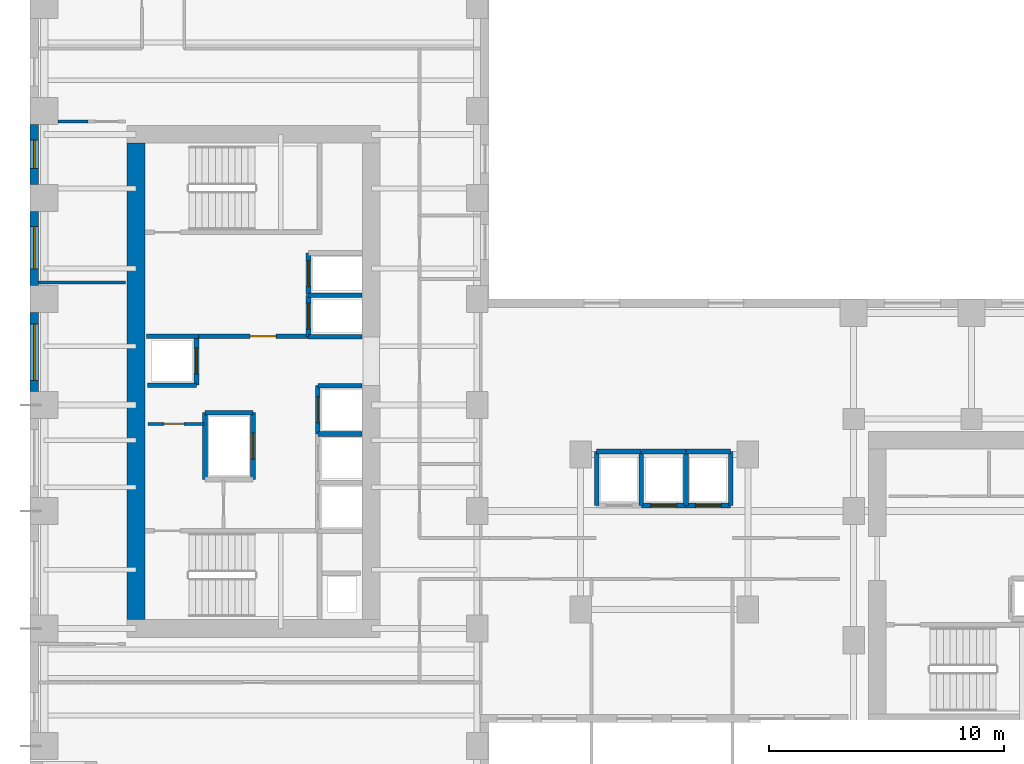
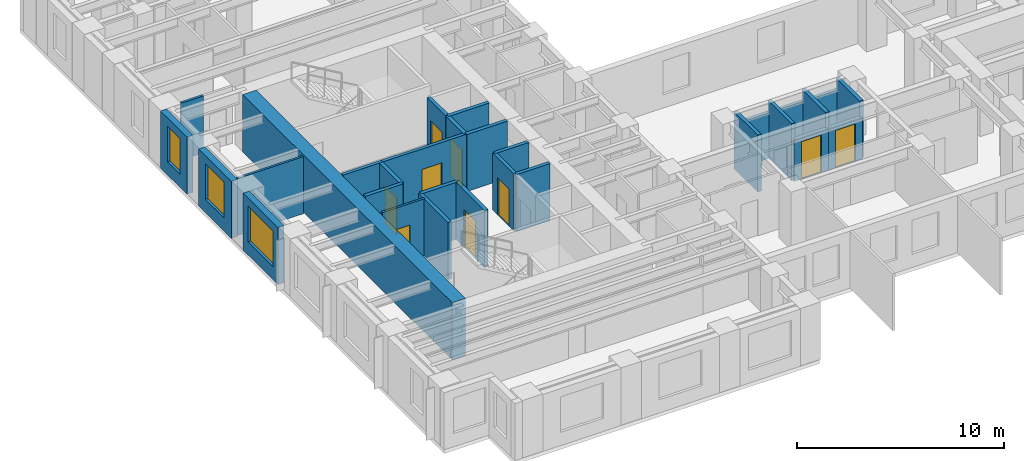
# One storey, part 5 of 11: 30 walls, 9 doors, 3 windows, 12 openings.
"""IFC4 building model written with IfcOpenShell, lengths in metres."""

from ifc_helpers import new_model, si_unit, direction, frame, frame_2d, origin, place, context, subcontext, project, spatial, rectangle, extrude, source, transform, mapped, material, layer, layer_set, type_object, element, fill, save


model = new_model("IFC4")

# Units and contexts
model_context = context("Model", 3, precision=1e-05, world=origin(), true_north=direction((0.0, 1.0)))
body_context = subcontext(model_context, "Body", "Model", "MODEL_VIEW")
ifc_project = project(units=[si_unit("LENGTHUNIT", "METRE"), si_unit("AREAUNIT", "SQUARE_METRE"), si_unit("VOLUMEUNIT", "CUBIC_METRE"), si_unit("PLANEANGLEUNIT", "RADIAN"), si_unit("MASSUNIT", "GRAM", prefix="KILO")], contexts=[model_context])

# Site, building, storey
site_placement = place(None, origin())
site = spatial("IfcSite", under=ifc_project, at=site_placement, CompositionType="ELEMENT")
building_placement = place(site_placement, origin())
building = spatial("IfcBuilding", under=site, at=building_placement, Name="Kharzan Plaza Tower", CompositionType="ELEMENT")
storey_placement = place(building_placement, frame((0.0, 0.0, 84.60009765625)))
storey = spatial("IfcBuildingStorey", under=building, at=storey_placement, Name="L22", CompositionType="ELEMENT", Elevation=84.60009765625)

# Wall, opening, window
ifc_material_1 = material(Name="Concrete C40/50", Category="concrete")
ifc_layer_1 = layer(ifc_material_1, 0.35009765625)
ifc_layer_set_1 = layer_set([ifc_layer_1], Name="Concrete C40/50")
wall_type_1 = type_object("IfcWallType", Name="WL-EXT-MAS-Z2", PredefinedType="SOLIDWALL", material=ifc_layer_set_1)
wall_1_placement = place(storey_placement, frame((0.175048828125, 29.927001953125, 0.0), z_axis=(0.0, 0.0, 1.0), x_axis=(0.0, -1.0, 0.0)))
wall_1 = element("IfcWall", 1, at=wall_1_placement, inside=storey, type_object=wall_type_1, Name="L22 Masonry-Frame Exterior Wall 13", PredefinedType="SOLIDWALL", context=body_context, shape_type="SweptSolid", body=[
    extrude(rectangle(XDim=2.553955078125, YDim=0.35009765625, at=frame_2d((1.27685546875, 0.0))), origin(), (0.0, 0.0, 1.0), 3.364990234375),
])
opening_1_placement = place(wall_1_placement, frame((0.677001953125, 0.0, 0.780029296875)))
opening_1 = element("IfcOpeningElement", 2, at=opening_1_placement, cuts=wall_1, Name="Opening W3", PredefinedType="OPENING", context=body_context, shape_type="SweptSolid", body=[
    extrude(rectangle(XDim=1.199951171875, YDim=2.10009765625, at=frame_2d((0.60009765625, 1.050048828125))), frame((0.0, 0.18505859375, 0.0), z_axis=(0.0, -1.0, 0.0), x_axis=(1.0, 0.0, 0.0)), (0.0, 0.0, 1.0), 0.3701171875),
])
ifc_material_2 = material(Name="Low-E Double Glazing", Category="glass")
window_type_1 = type_object("IfcWindowType", Name="WN-REC-1200x2100", PartitioningType="SINGLE_PANEL", PredefinedType="WINDOW", material=ifc_material_2)
shared_shape_1 = source(origin(), body_context, "Body", "SweptSolid", [
    extrude(rectangle(XDim=1.199951171875, YDim=2.10009765625, at=frame_2d((0.60009765625, 1.050048828125))), frame((0.0, 0.030029296875, 0.0), z_axis=(0.0, -1.0, 0.0), x_axis=(1.0, 0.0, 0.0)), (0.0, 0.0, 1.0), 0.06005859375),
])
window_1_placement = place(opening_1_placement, origin())
window_1 = element("IfcWindow", 3, at=window_1_placement, inside=storey, type_object=window_type_1, Name="L22 Recessed Solar-Control Window 13-1", OverallHeight=2.10009765625, OverallWidth=1.199951171875, PartitioningType="SINGLE_PANEL", PredefinedType="WINDOW", context=body_context, shape_type="MappedRepresentation", body=[
    mapped(shared_shape_1, transform((0.0, 0.0, 0.0), x_axis=(1.0, 0.0, 0.0), y_axis=(0.0, 1.0, 0.0), z_axis=(0.0, 0.0, 1.0))),
])
fill(opening_1, window_1)

wall_2_placement = place(storey_placement, frame((0.175048828125, 26.22705078125, 0.0), z_axis=(0.0, 0.0, 1.0), x_axis=(0.0, -1.0, 0.0)))
wall_2 = element("IfcWall", 4, at=wall_2_placement, inside=storey, type_object=wall_type_1, Name="L22 Masonry-Frame Exterior Wall 14", PredefinedType="SOLIDWALL", context=body_context, shape_type="SweptSolid", body=[
    extrude(rectangle(XDim=3.154052734375, YDim=0.35009765625, at=frame_2d((1.5771484375, 0.0))), origin(), (0.0, 0.0, 1.0), 3.364990234375),
])
opening_2_placement = place(wall_2_placement, frame((0.6484375, 0.0, 0.780029296875)))
opening_2 = element("IfcOpeningElement", 5, at=opening_2_placement, cuts=wall_2, Name="Opening W1", PredefinedType="OPENING", context=body_context, shape_type="SweptSolid", body=[
    extrude(rectangle(XDim=1.800048828125, YDim=2.10009765625, at=frame_2d((0.89990234375, 1.050048828125))), frame((0.0, 0.18505859375, 0.0), z_axis=(0.0, -1.0, 0.0), x_axis=(1.0, 0.0, 0.0)), (0.0, 0.0, 1.0), 0.3701171875),
])
window_type_2 = type_object("IfcWindowType", Name="WN-REC-1800x2100", PartitioningType="SINGLE_PANEL", PredefinedType="WINDOW", material=ifc_material_2)
shared_shape_2 = source(origin(), body_context, "Body", "SweptSolid", [
    extrude(rectangle(XDim=1.800048828125, YDim=2.10009765625, at=frame_2d((0.89990234375, 1.050048828125))), frame((0.0, 0.030029296875, 0.0), z_axis=(0.0, -1.0, 0.0), x_axis=(1.0, 0.0, 0.0)), (0.0, 0.0, 1.0), 0.06005859375),
])
window_2_placement = place(opening_2_placement, origin())
window_2 = element("IfcWindow", 6, at=window_2_placement, inside=storey, type_object=window_type_2, Name="L22 Recessed Solar-Control Window 14-1", OverallHeight=2.10009765625, OverallWidth=1.800048828125, PartitioningType="SINGLE_PANEL", PredefinedType="WINDOW", context=body_context, shape_type="MappedRepresentation", body=[
    mapped(shared_shape_2, transform((0.0, 0.0, 0.0), x_axis=(1.0, 0.0, 0.0), y_axis=(0.0, 1.0, 0.0), z_axis=(0.0, 0.0, 1.0))),
])
fill(opening_2, window_2)

wall_3_placement = place(storey_placement, frame((0.175048828125, 21.927001953125, 0.0), z_axis=(0.0, 0.0, 1.0), x_axis=(0.0, -1.0, 0.0)))
wall_3 = element("IfcWall", 7, at=wall_3_placement, inside=storey, type_object=wall_type_1, Name="L22 Masonry-Frame Exterior Wall 15", PredefinedType="SOLIDWALL", context=body_context, shape_type="SweptSolid", body=[
    extrude(rectangle(XDim=3.35400390625, YDim=0.35009765625, at=frame_2d((1.677001953125, 0.0))), origin(), (0.0, 0.0, 1.0), 3.364990234375),
])
opening_3_placement = place(wall_3_placement, frame((0.47705078125, 0.0, 0.780029296875)))
opening_3 = element("IfcOpeningElement", 8, at=opening_3_placement, cuts=wall_3, Name="Opening W2", PredefinedType="OPENING", context=body_context, shape_type="SweptSolid", body=[
    extrude(rectangle(XDim=2.39990234375, YDim=2.10009765625, at=frame_2d((1.199951171875, 1.050048828125))), frame((0.0, 0.18505859375, 0.0), z_axis=(0.0, -1.0, 0.0), x_axis=(1.0, 0.0, 0.0)), (0.0, 0.0, 1.0), 0.3701171875),
])
window_type_3 = type_object("IfcWindowType", Name="WN-REC-2400x2100", PartitioningType="SINGLE_PANEL", PredefinedType="WINDOW", material=ifc_material_2)
shared_shape_3 = source(origin(), body_context, "Body", "SweptSolid", [
    extrude(rectangle(XDim=2.39990234375, YDim=2.10009765625, at=frame_2d((1.199951171875, 1.050048828125))), frame((0.0, 0.030029296875, 0.0), z_axis=(0.0, -1.0, 0.0), x_axis=(1.0, 0.0, 0.0)), (0.0, 0.0, 1.0), 0.06005859375),
])
window_3_placement = place(opening_3_placement, origin())
window_3 = element("IfcWindow", 9, at=window_3_placement, inside=storey, type_object=window_type_3, Name="L22 Wide Recessed Solar-Control Window 15-1", OverallHeight=2.10009765625, OverallWidth=2.39990234375, PartitioningType="SINGLE_PANEL", PredefinedType="WINDOW", context=body_context, shape_type="MappedRepresentation", body=[
    mapped(shared_shape_3, transform((0.0, 0.0, 0.0), x_axis=(1.0, 0.0, 0.0), y_axis=(0.0, 1.0, 0.0), z_axis=(0.0, 0.0, 1.0))),
])
fill(opening_3, window_3)

# Wall, opening, door
ifc_layer_2 = layer(ifc_material_1, 0.179931640625)
ifc_layer_set_2 = layer_set([ifc_layer_2], Name="Concrete C40/50")
wall_type_2 = type_object("IfcWallType", Name="WL-INT-FIRE-180", PredefinedType="PARTITIONING", material=ifc_layer_set_2)
wall_4_placement = place(storey_placement, frame((7.14990234375, 20.919921875, 0.0), z_axis=(0.0, 0.0, 1.0), x_axis=(1.0, 0.0, 0.0)))
wall_4 = element("IfcWall", 10, at=wall_4_placement, inside=storey, type_object=wall_type_2, Name="L22 Interior Partition CA-FF-S", PredefinedType="PARTITIONING", context=body_context, shape_type="SweptSolid", body=[
    extrude(rectangle(XDim=4.68017578125, YDim=0.179931640625, at=frame_2d((2.340087890625, 0.0))), origin(), (0.0, 0.0, 1.0), 3.364990234375),
])
opening_4_placement = place(wall_4_placement, frame((2.199951171875, 0.0, 0.0)))
opening_4 = element("IfcOpeningElement", 11, at=opening_4_placement, cuts=wall_4, Name="Opening FD1", PredefinedType="OPENING", context=body_context, shape_type="SweptSolid", body=[
    extrude(rectangle(XDim=1.10009765625, YDim=2.14990234375, at=frame_2d((0.550048828125, 1.074951171875))), frame((0.0, 0.099853515625, 0.0), z_axis=(0.0, -1.0, 0.0), x_axis=(1.0, 0.0, 0.0)), (0.0, 0.0, 1.0), 0.199951171875),
])
ifc_material_3 = material(Name="Fire-Rated Acoustic Vision-Panel Steel", Category="steel")
door_type_1 = type_object("IfcDoorType", Name="DR-FIRE-LOBBY", OperationType="NOTDEFINED", PredefinedType="DOOR", material=ifc_material_3)
shared_shape_4 = source(origin(), body_context, "Body", "SweptSolid", [
    extrude(rectangle(XDim=1.10009765625, YDim=2.14990234375, at=frame_2d((0.550048828125, 1.074951171875))), frame((0.0, 0.02490234375, 0.0), z_axis=(0.0, -1.0, 0.0), x_axis=(1.0, 0.0, 0.0)), (0.0, 0.0, 1.0), 0.050048828125),
])
door_1_placement = place(opening_4_placement, origin())
door_1 = element("IfcDoor", 12, at=door_1_placement, inside=storey, type_object=door_type_1, Name="L22 Firefighting Lobby Door", OperationType="SINGLE_SWING_RIGHT", OverallHeight=2.14990234375, OverallWidth=1.10009765625, PredefinedType="DOOR", context=body_context, shape_type="MappedRepresentation", body=[
    mapped(shared_shape_4, transform((0.0, 0.0, 0.0), x_axis=(1.0, 0.0, 0.0), y_axis=(0.0, 1.0, 0.0), z_axis=(0.0, 0.0, 1.0))),
])
fill(opening_4, door_1)

ifc_material_4 = material(Name="Fire-Rated Gypsum Board Partition", Category="gypsum")
ifc_layer_3 = layer(ifc_material_4, 0.125)
ifc_layer_set_3 = layer_set([ifc_layer_3], Name="Fire-Rated Gypsum Board Partition")
wall_type_3 = type_object("IfcWallType", Name="WL-INT-PART-125", PredefinedType="PARTITIONING", material=ifc_layer_set_3)
wall_5_placement = place(storey_placement, frame((5.0, 17.199951171875, 0.0), z_axis=(0.0, 0.0, 1.0), x_axis=(1.0, 0.0, 0.0)))
wall_5 = element("IfcWall", 13, at=wall_5_placement, inside=storey, type_object=wall_type_3, Name="L22 Interior Partition CA-K1N2", PredefinedType="PARTITIONING", context=body_context, shape_type="SweptSolid", body=[
    extrude(rectangle(XDim=2.39990234375, YDim=0.125, at=frame_2d((1.199951171875, 0.0))), origin(), (0.0, 0.0, 1.0), 3.364990234375),
])
opening_5_placement = place(wall_5_placement, frame((0.699951171875, 0.0, 0.0)))
opening_5 = element("IfcOpeningElement", 14, at=opening_5_placement, cuts=wall_5, Name="Opening RD1", PredefinedType="OPENING", context=body_context, shape_type="SweptSolid", body=[
    extrude(rectangle(XDim=0.85009765625, YDim=2.10009765625, at=frame_2d((0.425048828125, 1.050048828125))), frame((0.0, 0.072509765625, 0.0), z_axis=(0.0, -1.0, 0.0), x_axis=(1.0, 0.0, 0.0)), (0.0, 0.0, 1.0), 0.14501953125),
])
ifc_material_5 = material(Name="Powder-Coated Fire-Rated Steel", Category="steel")
door_type_2 = type_object("IfcDoorType", Name="DR-RISER-900", OperationType="NOTDEFINED", PredefinedType="DOOR", material=ifc_material_5)
shared_shape_5 = source(origin(), body_context, "Body", "SweptSolid", [
    extrude(rectangle(XDim=0.85009765625, YDim=2.10009765625, at=frame_2d((0.425048828125, 1.050048828125))), frame((0.0, 0.02490234375, 0.0), z_axis=(0.0, -1.0, 0.0), x_axis=(1.0, 0.0, 0.0)), (0.0, 0.0, 1.0), 0.050048828125),
])
door_2_placement = place(opening_5_placement, origin())
door_2 = element("IfcDoor", 15, at=door_2_placement, inside=storey, type_object=door_type_2, Name="L22 Core Storage Room Door", OperationType="SINGLE_SWING_LEFT", OverallHeight=2.10009765625, OverallWidth=0.85009765625, PredefinedType="DOOR", context=body_context, shape_type="MappedRepresentation", body=[
    mapped(shared_shape_5, transform((0.0, 0.0, 0.0), x_axis=(1.0, 0.0, 0.0), y_axis=(0.0, 1.0, 0.0), z_axis=(0.0, 0.0, 1.0))),
])
fill(opening_5, door_2)

ifc_layer_4 = layer(ifc_material_1, 0.199951171875)
ifc_layer_set_4 = layer_set([ifc_layer_4], Name="Concrete C40/50")
wall_type_4 = type_object("IfcWallType", Name="WL-INT-SHAFT-200", PredefinedType="PARTITIONING", material=ifc_layer_set_4)
wall_6_placement = place(storey_placement, frame((11.830078125, 20.89990234375, 0.0), z_axis=(0.0, 0.0, 1.0), x_axis=(0.0, 1.0, 0.0)))
wall_6 = element("IfcWall", 16, at=wall_6_placement, inside=storey, type_object=wall_type_4, Name="L22 Interior Partition SHF-FFL-1-W", PredefinedType="PARTITIONING", context=body_context, shape_type="SweptSolid", body=[
    extrude(rectangle(XDim=1.760009765625, YDim=0.199951171875, at=frame_2d((0.8798828125, 0.0))), origin(), (0.0, 0.0, 1.0), 3.364990234375),
])
opening_6_placement = place(wall_6_placement, frame((0.330078125, 0.0, 0.0)))
opening_6 = element("IfcOpeningElement", 17, at=opening_6_placement, cuts=wall_6, Name="Opening LD", PredefinedType="OPENING", context=body_context, shape_type="SweptSolid", body=[
    extrude(rectangle(XDim=1.10009765625, YDim=2.199951171875, at=frame_2d((0.550048828125, 1.10009765625))), frame((0.0, 0.10986328125, 0.0), z_axis=(0.0, -1.0, 0.0), x_axis=(1.0, 0.0, 0.0)), (0.0, 0.0, 1.0), 0.219970703125),
])
ifc_material_6 = material(Name="Brushed Stainless Steel", Category="steel")
door_type_3 = type_object("IfcDoorType", Name="DR-LIFT-SLIDE", OperationType="SLIDING_TO_LEFT", PredefinedType="DOOR", material=ifc_material_6)
shared_shape_6 = source(origin(), body_context, "Body", "SweptSolid", [
    extrude(rectangle(XDim=1.10009765625, YDim=2.199951171875, at=frame_2d((0.550048828125, 1.10009765625))), frame((0.0, 0.02490234375, 0.0), z_axis=(0.0, -1.0, 0.0), x_axis=(1.0, 0.0, 0.0)), (0.0, 0.0, 1.0), 0.050048828125),
])
door_3_placement = place(opening_6_placement, origin())
door_3 = element("IfcDoor", 18, at=door_3_placement, inside=storey, type_object=door_type_3, Name="L22 Firefighting Lift FFL-1 Sliding Landing Door", OperationType="SLIDING_TO_LEFT", OverallHeight=2.199951171875, OverallWidth=1.10009765625, PredefinedType="DOOR", context=body_context, shape_type="MappedRepresentation", body=[
    mapped(shared_shape_6, transform((0.0, 0.0, 0.0), x_axis=(1.0, 0.0, 0.0), y_axis=(0.0, 1.0, 0.0), z_axis=(0.0, 0.0, 1.0))),
])
fill(opening_6, door_3)

wall_7_placement = place(storey_placement, frame((11.830078125, 22.699951171875, 0.0), z_axis=(0.0, 0.0, 1.0), x_axis=(0.0, 1.0, 0.0)))
wall_7 = element("IfcWall", 19, at=wall_7_placement, inside=storey, type_object=wall_type_4, Name="L22 Interior Partition SHF-FFL-2-W", PredefinedType="PARTITIONING", context=body_context, shape_type="SweptSolid", body=[
    extrude(rectangle(XDim=1.760009765625, YDim=0.199951171875, at=frame_2d((0.8798828125, 0.0))), origin(), (0.0, 0.0, 1.0), 3.364990234375),
])
opening_7_placement = place(wall_7_placement, frame((0.330078125, 0.0, 0.0)))
opening_7 = element("IfcOpeningElement", 20, at=opening_7_placement, cuts=wall_7, Name="Opening LD", PredefinedType="OPENING", context=body_context, shape_type="SweptSolid", body=[
    extrude(rectangle(XDim=1.10009765625, YDim=2.199951171875, at=frame_2d((0.550048828125, 1.10009765625))), frame((0.0, 0.10986328125, 0.0), z_axis=(0.0, -1.0, 0.0), x_axis=(1.0, 0.0, 0.0)), (0.0, 0.0, 1.0), 0.219970703125),
])
door_4_placement = place(opening_7_placement, origin())
door_4 = element("IfcDoor", 21, at=door_4_placement, inside=storey, type_object=door_type_3, Name="L22 Firefighting Lift FFL-2 Sliding Landing Door", OperationType="SLIDING_TO_LEFT", OverallHeight=2.199951171875, OverallWidth=1.10009765625, PredefinedType="DOOR", context=body_context, shape_type="MappedRepresentation", body=[
    mapped(shared_shape_6, transform((0.0, 0.0, 0.0), x_axis=(1.0, 0.0, 0.0), y_axis=(0.0, 1.0, 0.0), z_axis=(0.0, 0.0, 1.0))),
])
fill(opening_7, door_4)

wall_8_placement = place(storey_placement, frame((12.22998046875, 16.77001953125, 0.0), z_axis=(0.0, 0.0, 1.0), x_axis=(0.0, 1.0, 0.0)))
wall_8 = element("IfcWall", 22, at=wall_8_placement, inside=storey, type_object=wall_type_4, Name="L22 Interior Partition SHF-PL-H3-W", PredefinedType="PARTITIONING", context=body_context, shape_type="SweptSolid", body=[
    extrude(rectangle(XDim=2.050048828125, YDim=0.199951171875, at=frame_2d((1.02490234375, 0.0))), origin(), (0.0, 0.0, 1.0), 3.364990234375),
])
opening_8_placement = place(wall_8_placement, frame((0.47509765625, 0.0, 0.0)))
opening_8 = element("IfcOpeningElement", 23, at=opening_8_placement, cuts=wall_8, Name="Opening LD", PredefinedType="OPENING", context=body_context, shape_type="SweptSolid", body=[
    extrude(rectangle(XDim=1.10009765625, YDim=2.199951171875, at=frame_2d((0.550048828125, 1.10009765625))), frame((0.0, 0.10986328125, 0.0), z_axis=(0.0, -1.0, 0.0), x_axis=(1.0, 0.0, 0.0)), (0.0, 0.0, 1.0), 0.219970703125),
])
door_5_placement = place(opening_8_placement, origin())
door_5 = element("IfcDoor", 24, at=door_5_placement, inside=storey, type_object=door_type_3, Name="L22 High-Rise Passenger Lift PL-H3 Sliding Landing Door", OperationType="SLIDING_TO_LEFT", OverallHeight=2.199951171875, OverallWidth=1.10009765625, PredefinedType="DOOR", context=body_context, shape_type="MappedRepresentation", body=[
    mapped(shared_shape_6, transform((0.0, 0.0, 0.0), x_axis=(1.0, 0.0, 0.0), y_axis=(0.0, 1.0, 0.0), z_axis=(0.0, 0.0, 1.0))),
])
fill(opening_8, door_5)

wall_9_placement = place(storey_placement, frame((7.070068359375, 18.840087890625, 0.0), z_axis=(0.0, 0.0, 1.0), x_axis=(0.0, 1.0, 0.0)))
wall_9 = element("IfcWall", 25, at=wall_9_placement, inside=storey, type_object=wall_type_4, Name="L22 Interior Partition SHF-PL-H4-E", PredefinedType="PARTITIONING", context=body_context, shape_type="SweptSolid", body=[
    extrude(rectangle(XDim=2.059814453125, YDim=0.199951171875, at=frame_2d((1.02978515625, 0.0))), origin(), (0.0, 0.0, 1.0), 3.364990234375),
])
opening_9_placement = place(wall_9_placement, frame((0.47998046875, 0.0, 0.0)))
opening_9 = element("IfcOpeningElement", 26, at=opening_9_placement, cuts=wall_9, Name="Opening LD", PredefinedType="OPENING", context=body_context, shape_type="SweptSolid", body=[
    extrude(rectangle(XDim=1.10009765625, YDim=2.199951171875, at=frame_2d((0.550048828125, 1.10009765625))), frame((0.0, 0.10986328125, 0.0), z_axis=(0.0, -1.0, 0.0), x_axis=(1.0, 0.0, 0.0)), (0.0, 0.0, 1.0), 0.219970703125),
])
door_6_placement = place(opening_9_placement, origin())
door_6 = element("IfcDoor", 27, at=door_6_placement, inside=storey, type_object=door_type_3, Name="L22 High-Rise Passenger Lift PL-H4 Sliding Landing Door", OperationType="SLIDING_TO_LEFT", OverallHeight=2.199951171875, OverallWidth=1.10009765625, PredefinedType="DOOR", context=body_context, shape_type="MappedRepresentation", body=[
    mapped(shared_shape_6, transform((0.0, 0.0, 0.0), x_axis=(1.0, 0.0, 0.0), y_axis=(0.0, 1.0, 0.0), z_axis=(0.0, 0.0, 1.0))),
])
fill(opening_9, door_6)

wall_10_placement = place(storey_placement, frame((25.97998046875, 13.72998046875, 0.0), z_axis=(0.0, 0.0, 1.0), x_axis=(1.0, 0.0, 0.0)))
wall_10 = element("IfcWall", 28, at=wall_10_placement, inside=storey, type_object=wall_type_4, Name="L22 Interior Partition SHF-PL-M2-S", PredefinedType="PARTITIONING", context=body_context, shape_type="SweptSolid", body=[
    extrude(rectangle(XDim=1.89013671875, YDim=0.199951171875, at=frame_2d((0.945068359375, 0.0))), origin(), (0.0, 0.0, 1.0), 2.44580078125),
])
opening_10_placement = place(wall_10_placement, frame((0.39501953125, 0.0, 0.0)))
opening_10 = element("IfcOpeningElement", 29, at=opening_10_placement, cuts=wall_10, Name="Opening LD", PredefinedType="OPENING", context=body_context, shape_type="SweptSolid", body=[
    extrude(rectangle(XDim=1.10009765625, YDim=2.199951171875, at=frame_2d((0.550048828125, 1.10009765625))), frame((0.0, 0.10986328125, 0.0), z_axis=(0.0, -1.0, 0.0), x_axis=(1.0, 0.0, 0.0)), (0.0, 0.0, 1.0), 0.219970703125),
])
door_7_placement = place(opening_10_placement, origin())
door_7 = element("IfcDoor", 30, at=door_7_placement, inside=storey, type_object=door_type_3, Name="L22 Mid-Rise Passenger Lift PL-M2 Sliding Landing Door", OperationType="SLIDING_TO_LEFT", OverallHeight=2.199951171875, OverallWidth=1.10009765625, PredefinedType="DOOR", context=body_context, shape_type="MappedRepresentation", body=[
    mapped(shared_shape_6, transform((0.0, 0.0, 0.0), x_axis=(1.0, 0.0, 0.0), y_axis=(0.0, 1.0, 0.0), z_axis=(0.0, 0.0, 1.0))),
])
fill(opening_10, door_7)

wall_11_placement = place(storey_placement, frame((27.8798828125, 13.72998046875, 0.0), z_axis=(0.0, 0.0, 1.0), x_axis=(1.0, 0.0, 0.0)))
wall_11 = element("IfcWall", 31, at=wall_11_placement, inside=storey, type_object=wall_type_4, Name="L22 Interior Partition SHF-PL-M3-S", PredefinedType="PARTITIONING", context=body_context, shape_type="SweptSolid", body=[
    extrude(rectangle(XDim=1.89013671875, YDim=0.199951171875, at=frame_2d((0.945068359375, 0.0))), origin(), (0.0, 0.0, 1.0), 2.44580078125),
])
opening_11_placement = place(wall_11_placement, frame((0.39501953125, 0.0, 0.0)))
opening_11 = element("IfcOpeningElement", 32, at=opening_11_placement, cuts=wall_11, Name="Opening LD", PredefinedType="OPENING", context=body_context, shape_type="SweptSolid", body=[
    extrude(rectangle(XDim=1.10009765625, YDim=2.199951171875, at=frame_2d((0.550048828125, 1.10009765625))), frame((0.0, 0.10986328125, 0.0), z_axis=(0.0, -1.0, 0.0), x_axis=(1.0, 0.0, 0.0)), (0.0, 0.0, 1.0), 0.219970703125),
])
door_8_placement = place(opening_11_placement, origin())
door_8 = element("IfcDoor", 33, at=door_8_placement, inside=storey, type_object=door_type_3, Name="L22 Mid-Rise Passenger Lift PL-M3 Sliding Landing Door", OperationType="SLIDING_TO_LEFT", OverallHeight=2.199951171875, OverallWidth=1.10009765625, PredefinedType="DOOR", context=body_context, shape_type="MappedRepresentation", body=[
    mapped(shared_shape_6, transform((0.0, 0.0, 0.0), x_axis=(1.0, 0.0, 0.0), y_axis=(0.0, 1.0, 0.0), z_axis=(0.0, 0.0, 1.0))),
])
fill(opening_11, door_8)

wall_12_placement = place(storey_placement, frame((9.469970703125, 14.830078125, 0.0), z_axis=(0.0, 0.0, 1.0), x_axis=(0.0, 1.0, 0.0)))
wall_12 = element("IfcWall", 34, at=wall_12_placement, inside=storey, type_object=wall_type_4, Name="L22 Interior Partition SHF-SVL-1-E", PredefinedType="PARTITIONING", context=body_context, shape_type="SweptSolid", body=[
    extrude(rectangle(XDim=2.83984375, YDim=0.199951171875, at=frame_2d((1.419921875, 0.0))), origin(), (0.0, 0.0, 1.0), 3.364990234375),
])
opening_12_placement = place(wall_12_placement, frame((0.8701171875, 0.0, 0.0)))
opening_12 = element("IfcOpeningElement", 35, at=opening_12_placement, cuts=wall_12, Name="Opening LD", PredefinedType="OPENING", context=body_context, shape_type="SweptSolid", body=[
    extrude(rectangle(XDim=1.10009765625, YDim=2.199951171875, at=frame_2d((0.550048828125, 1.10009765625))), frame((0.0, 0.10986328125, 0.0), z_axis=(0.0, -1.0, 0.0), x_axis=(1.0, 0.0, 0.0)), (0.0, 0.0, 1.0), 0.219970703125),
])
door_9_placement = place(opening_12_placement, origin())
door_9 = element("IfcDoor", 36, at=door_9_placement, inside=storey, type_object=door_type_3, Name="L22 Service Lift SVL-1 Sliding Landing Door", OperationType="SLIDING_TO_LEFT", OverallHeight=2.199951171875, OverallWidth=1.10009765625, PredefinedType="DOOR", context=body_context, shape_type="MappedRepresentation", body=[
    mapped(shared_shape_6, transform((0.0, 0.0, 0.0), x_axis=(1.0, 0.0, 0.0), y_axis=(0.0, 1.0, 0.0), z_axis=(0.0, 0.0, 1.0))),
])
fill(opening_12, door_9)

# Walls
shared_shape_7 = source(origin(), body_context, "Body", "SweptSolid", [
    extrude(rectangle(XDim=2.090087890625, YDim=0.199951171875, at=frame_2d((1.044921875, 0.0))), origin(), (0.0, 0.0, 1.0), 3.364990234375),
])
wall_13_placement = place(storey_placement, frame((4.97998046875, 18.840087890625, 0.0), z_axis=(0.0, 0.0, 1.0), x_axis=(1.0, 0.0, 0.0)))
element("IfcWall", 37, at=wall_13_placement, inside=storey, type_object=wall_type_4, Name="L22 Interior Partition SHF-PL-H4-S", PredefinedType="PARTITIONING", context=body_context, shape_type="MappedRepresentation", body=[
    mapped(shared_shape_7, transform((0.0, 0.0, 0.0), x_axis=(1.0, 0.0, 0.0), y_axis=(0.0, 1.0, 0.0), z_axis=(0.0, 0.0, 1.0))),
])
shared_shape_8 = source(origin(), body_context, "Body", "SweptSolid", [
    extrude(rectangle(XDim=2.2900390625, YDim=0.199951171875, at=frame_2d((1.14501953125, 0.0))), origin(), (0.0, 0.0, 1.0), 3.364990234375),
])
for number, where, z_axis, x_axis, name in (
    (38, (25.969970703125, 13.72998046875, 0.0), (0.0, 0.0, 1.0), (0.0, 1.0, 0.0), "L22 Interior Partition SHF-PL-M1-E"),
    (39, (24.080078125, 13.72998046875, 0.0), (0.0, 0.0, 1.0), (0.0, 1.0, 0.0), "L22 Interior Partition SHF-PL-M1-W"),
    (40, (27.8701171875, 13.72998046875, 0.0), (0.0, 0.0, 1.0), (0.0, 1.0, 0.0), "L22 Interior Partition SHF-PL-M2-E"),
    (41, (29.77001953125, 13.72998046875, 0.0), (0.0, 0.0, 1.0), (0.0, 1.0, 0.0), "L22 Interior Partition SHF-PL-M3-E"),
):
    element("IfcWall", number, at=place(storey_placement, frame(where, z_axis=z_axis, x_axis=x_axis)), inside=storey, type_object=wall_type_4, Name=name, PredefinedType="PARTITIONING", context=body_context, shape_type="MappedRepresentation", body=[
        mapped(shared_shape_8, transform((0.0, 0.0, 0.0), x_axis=(1.0, 0.0, 0.0), y_axis=(0.0, 1.0, 0.0), z_axis=(0.0, 0.0, 1.0))),
    ])
shared_shape_9 = source(origin(), body_context, "Body", "SweptSolid", [
    extrude(rectangle(XDim=2.0400390625, YDim=0.199951171875, at=frame_2d((1.02001953125, 0.0))), origin(), (0.0, 0.0, 1.0), 3.364990234375),
])
wall_14_placement = place(storey_placement, frame((7.429931640625, 17.669921875, 0.0), z_axis=(0.0, 0.0, 1.0), x_axis=(1.0, 0.0, 0.0)))
element("IfcWall", 42, at=wall_14_placement, inside=storey, type_object=wall_type_4, Name="L22 Interior Partition SHF-SVL-1-N", PredefinedType="PARTITIONING", context=body_context, shape_type="MappedRepresentation", body=[
    mapped(shared_shape_9, transform((0.0, 0.0, 0.0), x_axis=(1.0, 0.0, 0.0), y_axis=(0.0, 1.0, 0.0), z_axis=(0.0, 0.0, 1.0))),
])
shared_shape_10 = source(origin(), body_context, "Body", "SweptSolid", [
    extrude(rectangle(XDim=2.83984375, YDim=0.199951171875, at=frame_2d((1.419921875, 0.0))), origin(), (0.0, 0.0, 1.0), 3.364990234375),
])
wall_15_placement = place(storey_placement, frame((7.429931640625, 14.830078125, 0.0), z_axis=(0.0, 0.0, 1.0), x_axis=(0.0, 1.0, 0.0)))
element("IfcWall", 43, at=wall_15_placement, inside=storey, type_object=wall_type_4, Name="L22 Interior Partition SHF-SVL-1-W", PredefinedType="PARTITIONING", context=body_context, shape_type="MappedRepresentation", body=[
    mapped(shared_shape_10, transform((0.0, 0.0, 0.0), x_axis=(1.0, 0.0, 0.0), y_axis=(0.0, 1.0, 0.0), z_axis=(0.0, 0.0, 1.0))),
])
shared_shape_11 = source(origin(), body_context, "Body", "SweptSolid", [
    extrude(rectangle(XDim=2.199951171875, YDim=0.179931640625, at=frame_2d((1.10009765625, 0.0))), origin(), (0.0, 0.0, 1.0), 3.364990234375),
])
wall_16_placement = place(storey_placement, frame((4.949951171875, 20.919921875, 0.0), z_axis=(0.0, 0.0, 1.0), x_axis=(1.0, 0.0, 0.0)))
element("IfcWall", 44, at=wall_16_placement, inside=storey, type_object=wall_type_2, Name="L22 Interior Partition CA-FF-SW", PredefinedType="PARTITIONING", context=body_context, shape_type="MappedRepresentation", body=[
    mapped(shared_shape_11, transform((0.0, 0.0, 0.0), x_axis=(1.0, 0.0, 0.0), y_axis=(0.0, 1.0, 0.0), z_axis=(0.0, 0.0, 1.0))),
])
shared_shape_12 = source(origin(), body_context, "Body", "SweptSolid", [
    extrude(rectangle(XDim=1.260009765625, YDim=0.125, at=frame_2d((0.6298828125, 0.0))), origin(), (0.0, 0.0, 1.0), 3.364990234375),
])
wall_17_placement = place(storey_placement, frame((1.18994140625, 30.050048828125, 0.0), z_axis=(0.0, 0.0, 1.0), x_axis=(1.0, 0.0, 0.0)))
element("IfcWall", 45, at=wall_17_placement, inside=storey, type_object=wall_type_3, Name="L22 Interior Partition SH-RWN0", PredefinedType="PARTITIONING", context=body_context, shape_type="MappedRepresentation", body=[
    mapped(shared_shape_12, transform((0.0, 0.0, 0.0), x_axis=(1.0, 0.0, 0.0), y_axis=(0.0, 1.0, 0.0), z_axis=(0.0, 0.0, 1.0))),
])
shared_shape_13 = source(origin(), body_context, "Body", "SweptSolid", [
    extrude(rectangle(XDim=3.697998046875, YDim=0.125, at=frame_2d((1.84912109375, 0.0))), origin(), (0.0, 0.0, 1.0), 3.364990234375),
])
wall_18_placement = place(storey_placement, frame((0.35205078125, 23.199951171875, 0.0), z_axis=(0.0, 0.0, 1.0), x_axis=(1.0, 0.0, 0.0)))
element("IfcWall", 46, at=wall_18_placement, inside=storey, type_object=wall_type_3, Name="L22 Interior Partition SH-WMID", PredefinedType="PARTITIONING", context=body_context, shape_type="MappedRepresentation", body=[
    mapped(shared_shape_13, transform((0.0, 0.0, 0.0), x_axis=(1.0, 0.0, 0.0), y_axis=(0.0, 1.0, 0.0), z_axis=(0.0, 0.0, 1.0))),
])
shared_shape_14 = source(origin(), body_context, "Body", "SweptSolid", [
    extrude(rectangle(XDim=2.264892578125, YDim=0.199951171875, at=frame_2d((1.13232421875, 0.0))), origin(), (0.0, 0.0, 1.0), 3.364990234375),
])
for number, where, z_axis, x_axis, name in (
    (47, (11.830078125, 22.659912109375, 0.0), (0.0, 0.0, 1.0), (1.0, 0.0, 0.0), "L22 Interior Partition SHF-FFL-1-N"),
    (48, (11.830078125, 20.89990234375, 0.0), (0.0, 0.0, 1.0), (1.0, 0.0, 0.0), "L22 Interior Partition SHF-FFL-1-S"),
):
    element("IfcWall", number, at=place(storey_placement, frame(where, z_axis=z_axis, x_axis=x_axis)), inside=storey, type_object=wall_type_4, Name=name, PredefinedType="PARTITIONING", context=body_context, shape_type="MappedRepresentation", body=[
        mapped(shared_shape_14, transform((0.0, 0.0, 0.0), x_axis=(1.0, 0.0, 0.0), y_axis=(0.0, 1.0, 0.0), z_axis=(0.0, 0.0, 1.0))),
    ])
shared_shape_15 = source(origin(), body_context, "Body", "SweptSolid", [
    extrude(rectangle(XDim=1.864990234375, YDim=0.199951171875, at=frame_2d((0.9326171875, 0.0))), origin(), (0.0, 0.0, 1.0), 3.364990234375),
])
for number, where, z_axis, x_axis, name in (
    (49, (12.22998046875, 16.77001953125, 0.0), (0.0, 0.0, 1.0), (1.0, 0.0, 0.0), "L22 Interior Partition SHF-PL-H2-N"),
    (50, (12.22998046875, 18.820068359375, 0.0), (0.0, 0.0, 1.0), (1.0, 0.0, 0.0), "L22 Interior Partition SHF-PL-H3-N"),
):
    element("IfcWall", number, at=place(storey_placement, frame(where, z_axis=z_axis, x_axis=x_axis)), inside=storey, type_object=wall_type_4, Name=name, PredefinedType="PARTITIONING", context=body_context, shape_type="MappedRepresentation", body=[
        mapped(shared_shape_15, transform((0.0, 0.0, 0.0), x_axis=(1.0, 0.0, 0.0), y_axis=(0.0, 1.0, 0.0), z_axis=(0.0, 0.0, 1.0))),
    ])
shared_shape_16 = source(origin(), body_context, "Body", "SweptSolid", [
    extrude(rectangle(XDim=1.889892578125, YDim=0.199951171875, at=frame_2d((0.94482421875, 0.0))), origin(), (0.0, 0.0, 1.0), 2.677001953125),
])
wall_19_placement = place(storey_placement, frame((24.080078125, 16.02001953125, 0.0), z_axis=(0.0, 0.0, 1.0), x_axis=(1.0, 0.0, 0.0)))
element("IfcWall", 51, at=wall_19_placement, inside=storey, type_object=wall_type_4, Name="L22 Interior Partition SHF-PL-M1-N", PredefinedType="PARTITIONING", context=body_context, shape_type="MappedRepresentation", body=[
    mapped(shared_shape_16, transform((0.0, 0.0, 0.0), x_axis=(1.0, 0.0, 0.0), y_axis=(0.0, 1.0, 0.0), z_axis=(0.0, 0.0, 1.0))),
])
shared_shape_17 = source(origin(), body_context, "Body", "SweptSolid", [
    extrude(rectangle(XDim=1.89013671875, YDim=0.199951171875, at=frame_2d((0.945068359375, 0.0))), origin(), (0.0, 0.0, 1.0), 2.677001953125),
])
for number, where, z_axis, x_axis, name in (
    (52, (25.97998046875, 16.02001953125, 0.0), (0.0, 0.0, 1.0), (1.0, 0.0, 0.0), "L22 Interior Partition SHF-PL-M2-N"),
    (53, (27.8798828125, 16.02001953125, 0.0), (0.0, 0.0, 1.0), (1.0, 0.0, 0.0), "L22 Interior Partition SHF-PL-M3-N"),
):
    element("IfcWall", number, at=place(storey_placement, frame(where, z_axis=z_axis, x_axis=x_axis)), inside=storey, type_object=wall_type_4, Name=name, PredefinedType="PARTITIONING", context=body_context, shape_type="MappedRepresentation", body=[
        mapped(shared_shape_17, transform((0.0, 0.0, 0.0), x_axis=(1.0, 0.0, 0.0), y_axis=(0.0, 1.0, 0.0), z_axis=(0.0, 0.0, 1.0))),
    ])
ifc_material_7 = material(Name="Concrete C60/75", Category="concrete")
ifc_layer_5 = layer(ifc_material_7, 0.75)
ifc_layer_set_5 = layer_set([ifc_layer_5], Name="Concrete C60/75")
wall_type_5 = type_object("IfcWallType", Name="WL-CORE-750", PredefinedType="SHEAR", material=ifc_layer_set_5)
shared_shape_18 = source(origin(), body_context, "Body", "SweptSolid", [
    extrude(rectangle(XDim=20.25, YDim=0.75, at=frame_2d((10.125, 0.0))), origin(), (0.0, 0.0, 1.0), 3.3798828125),
])
wall_20_placement = place(storey_placement, frame((4.5, 8.875, 0.0), z_axis=(0.0, 0.0, 1.0), x_axis=(0.0, 1.0, 0.0)))
element("IfcWall", 54, at=wall_20_placement, inside=storey, type_object=wall_type_5, Name="L22 CORE-A west RC shear wall", PredefinedType="SHEAR", context=body_context, shape_type="MappedRepresentation", body=[
    mapped(shared_shape_18, transform((0.0, 0.0, 0.0), x_axis=(1.0, 0.0, 0.0), y_axis=(0.0, 1.0, 0.0), z_axis=(0.0, 0.0, 1.0))),
])

save(model, "model.ifc")
